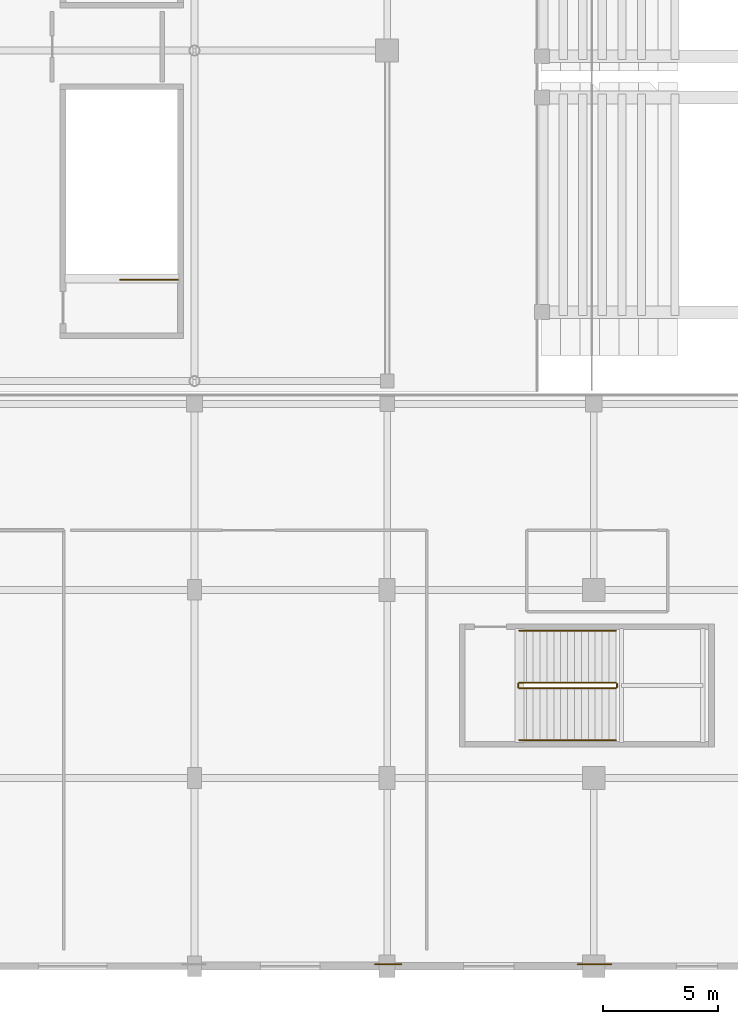
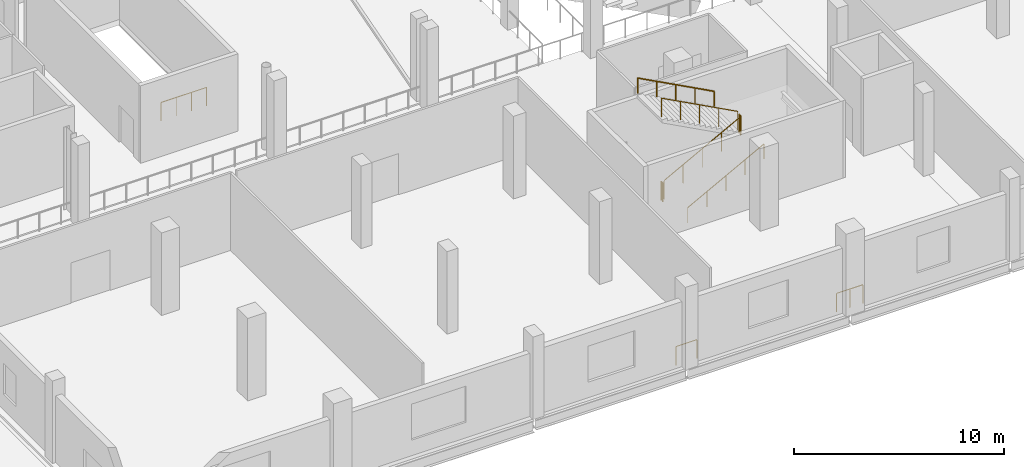
# One storey, part 51 of 74: 9 railings.
"""IFC4 building model written with IfcOpenShell, lengths in metres."""

import ifcopenshell
import ifcopenshell.guid

model = None  # the IFC model being written
_history = None  # IfcOwnerHistory: only IFC2X3 demands one
_inside = {}  # id of a spatial element -> (the spatial element, [elements in it])
_under = {}  # id of a project, library or spatial element -> (it, [spatial elements below it])
_declared = {}  # id of a project -> (the project, [libraries it declares])
_typed = {}  # id of a type object -> (the type object, [elements of that type])
_made_of = {}  # id of a material, layer set ... -> (it, [elements and type objects made of it])


def new_model(schema):
    """Start an empty IFC model of exactly this schema.

    Asked for "IFC4X3", IfcOpenShell would pick the latest addendum, in which some entities
    have other attributes; the version numbers below select the first issue.
    IFC2X3 requires an IfcOwnerHistory on every rooted entity: one is made here for all.
    """
    global model, _history
    if schema == "IFC4X3":
        model = ifcopenshell.file(schema_version=(4, 3, 0, 0))
    else:
        model = ifcopenshell.file(schema=schema)
    _inside.clear()
    _under.clear()
    _declared.clear()
    _typed.clear()
    _made_of.clear()
    _history = None
    if model.schema == "IFC2X3":
        org = make("IfcOrganization", Name="unknown")
        user = make(
            "IfcPersonAndOrganization",
            ThePerson=make("IfcPerson", FamilyName="unknown"),
            TheOrganization=org,
        )
        app = make(
            "IfcApplication",
            ApplicationDeveloper=org,
            Version="unknown",
            ApplicationFullName="unknown",
            ApplicationIdentifier="unknown",
        )
        _history = make(
            "IfcOwnerHistory",
            OwningUser=user,
            OwningApplication=app,
            ChangeAction="ADDED",
            CreationDate=0,
        )
    return model


def make(cls, **values):
    """One entity of the class cls with the attributes given. An attribute that is None is left unset."""
    return model.create_entity(
        cls, **{name: value for name, value in values.items() if value is not None}
    )


def rooted(cls, **values):
    """An entity with a GlobalId (a new one), such as an element, a storey or a relation."""
    return make(cls, GlobalId=ifcopenshell.guid.new(), OwnerHistory=_history, **values)


def si_unit(unit_type, name, prefix=None):
    """IfcSIUnit, for example si_unit("LENGTHUNIT", "METRE", prefix="MILLI")."""
    return make("IfcSIUnit", UnitType=unit_type, Prefix=prefix, Name=name)


def assignment(units):
    """IfcUnitAssignment: the units of a project."""
    return None if units is None else make("IfcUnitAssignment", Units=units)


def point(xyz):
    """IfcCartesianPoint."""
    return None if xyz is None else make("IfcCartesianPoint", Coordinates=xyz)


def direction(xyz):
    """IfcDirection."""
    return None if xyz is None else make("IfcDirection", DirectionRatios=xyz)


def frame(location, z_axis=None, x_axis=None):
    """IfcAxis2Placement3D, a coordinate frame: its origin and axes. An axis left out is left unset."""
    return make(
        "IfcAxis2Placement3D",
        Location=point(location),
        Axis=direction(z_axis),
        RefDirection=direction(x_axis),
    )


def frame_2d(location, x_axis=None):
    """IfcAxis2Placement2D, a coordinate frame in the plane: its origin and x axis."""
    return make(
        "IfcAxis2Placement2D", Location=point(location), RefDirection=direction(x_axis)
    )


def origin():
    """The frame at (0, 0, 0) with its axes left unset."""
    return frame((0.0, 0.0, 0.0))


def origin_2d():
    """The frame at (0, 0) in the plane with its x axis left unset."""
    return frame_2d((0.0, 0.0))


def place(relative_to, where):
    """IfcLocalPlacement: puts the frame where relative to a parent placement (None: the world)."""
    return make(
        "IfcLocalPlacement", PlacementRelTo=relative_to, RelativePlacement=where
    )


def context(
    kind, dimensions, precision=None, world=None, true_north=None, identifier=None
):
    """IfcGeometricRepresentationContext, for example the 3D "Model" context."""
    return make(
        "IfcGeometricRepresentationContext",
        ContextIdentifier=identifier,
        ContextType=kind,
        CoordinateSpaceDimension=dimensions,
        Precision=precision,
        WorldCoordinateSystem=world,
        TrueNorth=true_north,
    )


def subcontext(parent, identifier, kind, view, scale=None):
    """IfcGeometricRepresentationSubContext, for example "Body" below "Model"."""
    return make(
        "IfcGeometricRepresentationSubContext",
        ContextIdentifier=identifier,
        ContextType=kind,
        ParentContext=parent,
        TargetScale=scale,
        TargetView=view,
    )


def project(units=None, contexts=None):
    """IfcProject with its units and contexts."""
    return rooted(
        "IfcProject",
        Name="project",
        RepresentationContexts=contexts,
        UnitsInContext=assignment(units),
    )


def spatial(cls, under=None, at=None, **own):
    """A site, building, storey or space (cls), placed at a placement, below another one or the project."""
    s = rooted(cls, ObjectPlacement=at, **own)
    if under is not None:
        _under.setdefault(under.id(), (under, []))[1].append(s)
    return s


def profile(cls, at=None, kind="AREA", **sizes):
    """A parametric profile (cls). Its sizes go by their IFC names, for example OverallWidth=200.0."""
    return make(cls, ProfileType=kind, Position=at, **sizes)


def circle(**sizes):
    """IfcCircleProfileDef."""
    return profile("IfcCircleProfileDef", **sizes)


def extrude(swept, where, along, depth):
    """IfcExtrudedAreaSolid: the profile swept, set in the frame where, extruded along a direction by depth."""
    return make(
        "IfcExtrudedAreaSolid",
        SweptArea=swept,
        Position=where,
        ExtrudedDirection=direction(along),
        Depth=depth,
    )


def shape(context_of_items, identifier, shape_type, items):
    """IfcShapeRepresentation: the items that make up one representation, for example the "Body"."""
    return make(
        "IfcShapeRepresentation",
        ContextOfItems=context_of_items,
        RepresentationIdentifier=identifier,
        RepresentationType=shape_type,
        Items=items,
    )


def material(Name=None, Category=None):
    """IfcMaterial."""
    return make("IfcMaterial", Name=Name, Category=Category)


def made_of(thing, what):
    """Note that an element or type object is made of a material, layer set ...; save() writes the relation."""
    if what is not None:
        _made_of.setdefault(what.id(), (what, []))[1].append(thing)
    return thing


def type_object(cls, material=None, **own):
    """A type object (cls), such as IfcWallType, which elements share."""
    return made_of(rooted(cls, **own), material)


def element(
    cls,
    number,
    at=None,
    inside=None,
    cuts=None,
    type_object=None,
    material=None,
    context=None,
    identifier="Body",
    shape_type=None,
    held_by="IfcProductDefinitionShape",
    body=None,
    shapes=None,
    **own,
):
    """One element of the class cls, such as IfcWall. Its Tag is "e" and its number.

    at: its placement. inside: the storey or other place that contains it. cuts: it is an
    opening in that element (IfcRelVoidsElement). A single representation is given by context,
    identifier, shape_type and body (its items); several are given by shapes. held_by: the class
    of the entity that holds the representations. save() writes the other relations.
    """
    e = rooted(cls, Tag="e%d" % number, ObjectPlacement=at, **own)
    if body is not None:
        shapes = [shape(context, identifier, shape_type, body)]
    if shapes is not None:
        e.Representation = make(held_by, Representations=shapes)
    if inside is not None:
        _inside.setdefault(inside.id(), (inside, []))[1].append(e)
    if cuts is not None:
        rooted(
            "IfcRelVoidsElement", RelatingBuildingElement=cuts, RelatedOpeningElement=e
        )
    if type_object is not None:
        _typed.setdefault(type_object.id(), (type_object, []))[1].append(e)
    return made_of(e, material)


def aggregate(whole, parts):
    """IfcRelAggregates: a whole, such as a stair, and the parts it consists of."""
    return rooted("IfcRelAggregates", RelatingObject=whole, RelatedObjects=parts)


def save(model, path):
    """Write the relations noted so far, then the file.

    IfcRelAggregates (storeys below a building ...), IfcRelContainedInSpatialStructure (elements
    in a storey), IfcRelDefinesByType, IfcRelAssociatesMaterial and IfcRelDeclares: one each for
    every whole, place, type object, material and project.
    """
    for whole, parts in _under.values():
        aggregate(whole, parts)
    for where, things in _inside.values():
        rooted(
            "IfcRelContainedInSpatialStructure",
            RelatedElements=things,
            RelatingStructure=where,
        )
    for kind, things in _typed.values():
        rooted("IfcRelDefinesByType", RelatedObjects=things, RelatingType=kind)
    for what, things in _made_of.values():
        rooted("IfcRelAssociatesMaterial", RelatedObjects=things, RelatingMaterial=what)
    for by, libraries in _declared.values():
        rooted("IfcRelDeclares", RelatingContext=by, RelatedDefinitions=libraries)
    model.write(path)


model = new_model("IFC4")

# Units and contexts
model_context = context("Model", 3, precision=1e-05, world=origin(), true_north=direction((0.0, 1.0)))
body_context = subcontext(model_context, "Body", "Model", "MODEL_VIEW")
ifc_project = project(units=[si_unit("LENGTHUNIT", "METRE"), si_unit("AREAUNIT", "SQUARE_METRE"), si_unit("VOLUMEUNIT", "CUBIC_METRE"), si_unit("PLANEANGLEUNIT", "RADIAN"), si_unit("MASSUNIT", "GRAM", prefix="KILO")], contexts=[model_context])

# Site, building, storey
site_placement = place(None, origin())
site = spatial("IfcSite", under=ifc_project, at=site_placement, CompositionType="ELEMENT")
building_placement = place(site_placement, origin())
building = spatial("IfcBuilding", under=site, at=building_placement, Name="Koshinbarg Plaza Stadium", CompositionType="ELEMENT")
storey_placement = place(building_placement, frame((0.0, 0.0, 15.0)))
storey = spatial("IfcBuildingStorey", under=building, at=storey_placement, Name="L03", CompositionType="ELEMENT", Elevation=15.0)

# Railings
ifc_material_1 = material(Name="Toughened laminated glass and stainless steel sightline balustrade", Category="steel")
railing_type_1 = type_object("IfcRailingType", Name="RL-BOWL-1100", PredefinedType="BALUSTRADE", material=ifc_material_1)
railing_1_placement = place(storey_placement, frame((64.357666015625, 0.080078125, 0.0)))
element("IfcRailing", 1, at=railing_1_placement, inside=storey, type_object=railing_type_1, Name="L03 deck edge safety balustrade 0261", PredefinedType="BALUSTRADE", context=body_context, shape_type="SweptSolid", body=[
    extrude(circle(Radius=0.02392578125, at=origin_2d()), frame((0.0, 0.0, 1.076171875), z_axis=(-1.0, 0.0, 0.0), x_axis=(0.0, -1.0, 0.0)), (0.0, 0.0, 1.0), 1.448974609375),
    extrude(circle(Radius=0.02099609375, at=origin_2d()), origin(), (0.0, 0.0, 1.0), 1.052001953125),
    extrude(circle(Radius=0.02099609375, at=origin_2d()), frame((-0.724609375, 0.0, 0.0)), (0.0, 0.0, 1.0), 1.052001953125),
    extrude(circle(Radius=0.02099609375, at=origin_2d()), frame((-1.448974609375, 0.0, 0.0)), (0.0, 0.0, 1.0), 1.052001953125),
])
railing_2_placement = place(storey_placement, frame((55.21630859375, 0.080078125, 0.0)))
element("IfcRailing", 2, at=railing_2_placement, inside=storey, type_object=railing_type_1, Name="L03 deck edge safety balustrade 0262", PredefinedType="BALUSTRADE", context=body_context, shape_type="SweptSolid", body=[
    extrude(circle(Radius=0.02392578125, at=origin_2d()), frame((0.0, 0.0, 1.076171875), z_axis=(-1.0, 0.0, 0.0), x_axis=(0.0, -1.0, 0.0)), (0.0, 0.0, 1.0), 1.1494140625),
    extrude(circle(Radius=0.02099609375, at=origin_2d()), origin(), (0.0, 0.0, 1.0), 1.052001953125),
    extrude(circle(Radius=0.02099609375, at=origin_2d()), frame((-1.1494140625, 0.0, 0.0)), (0.0, 0.0, 1.0), 1.052001953125),
])
ifc_material_2 = material(Name="Galvanized painted steel guardrail", Category="steel")
railing_type_2 = type_object("IfcRailingType", Name="RL-GUARD-1100", PredefinedType="GUARDRAIL", material=ifc_material_2)
railing_3_placement = place(storey_placement, frame((60.360107421875, 12.110107421875, 0.159912109375)))
element("IfcRailing", 3, at=railing_3_placement, inside=storey, type_object=railing_type_2, Name="L03 C13 stair guard 1", PredefinedType="GUARDRAIL", context=body_context, shape_type="SweptSolid", body=[
    extrude(circle(Radius=0.02392578125, at=origin_2d()), frame((0.0, 0.0, 1.076171875), z_axis=(0.882351521365, 0.0, 0.470590897432), x_axis=(0.0, 1.0, 0.0)), (0.0, 0.0, 1.0), 4.760009765625),
    extrude(circle(Radius=0.02099609375, at=origin_2d()), origin(), (0.0, 0.0, 1.0), 1.052001953125),
    extrude(circle(Radius=0.02099609375, at=origin_2d()), frame((1.050048828125, 0.0, 0.56005859375)), (0.0, 0.0, 1.0), 1.052001953125),
    extrude(circle(Radius=0.02099609375, at=origin_2d()), frame((2.10009765625, 0.0, 1.1201171875)), (0.0, 0.0, 1.0), 1.052001953125),
    extrude(circle(Radius=0.02099609375, at=origin_2d()), frame((3.14990234375, 0.0, 1.679931640625)), (0.0, 0.0, 1.0), 1.052001953125),
    extrude(circle(Radius=0.02099609375, at=origin_2d()), frame((4.199951171875, 0.0, 2.239990234375)), (0.0, 0.0, 1.0), 1.052001953125),
])
railing_4_placement = place(storey_placement, frame((64.610107421875, 12.159912109375, 2.39990234375)))
element("IfcRailing", 4, at=railing_4_placement, inside=storey, type_object=railing_type_2, Name="L03 C13 stair guard 2", PredefinedType="GUARDRAIL", context=body_context, shape_type="SweptSolid", body=[
    extrude(circle(Radius=0.02392578125, at=origin_2d()), frame((0.0, 0.0, 1.076171875), z_axis=(0.0, 1.0, 0.0), x_axis=(-1.0, 0.0, 0.0)), (0.0, 0.0, 1.0), 0.150146484375),
    extrude(circle(Radius=0.02099609375, at=origin_2d()), origin(), (0.0, 0.0, 1.0), 1.052001953125),
    extrude(circle(Radius=0.02099609375, at=origin_2d()), frame((0.0, 0.150146484375, 0.0)), (0.0, 0.0, 1.0), 1.052001953125),
])
railing_5_placement = place(storey_placement, frame((64.56005859375, 12.360107421875, 2.56005859375)))
element("IfcRailing", 5, at=railing_5_placement, inside=storey, type_object=railing_type_2, Name="L03 C13 stair guard 3", PredefinedType="GUARDRAIL", context=body_context, shape_type="SweptSolid", body=[
    extrude(circle(Radius=0.02392578125, at=origin_2d()), frame((0.0, 0.0, 1.076171875), z_axis=(-0.882351521365, 0.0, 0.470590897432), x_axis=(0.0, -1.0, 0.0)), (0.0, 0.0, 1.0), 4.760009765625),
    extrude(circle(Radius=0.02099609375, at=origin_2d()), origin(), (0.0, 0.0, 1.0), 1.052001953125),
    extrude(circle(Radius=0.02099609375, at=origin_2d()), frame((-1.050048828125, 0.0, 0.56005859375)), (0.0, 0.0, 1.0), 1.052001953125),
    extrude(circle(Radius=0.02099609375, at=origin_2d()), frame((-2.10009765625, 0.0, 1.1201171875)), (0.0, 0.0, 1.0), 1.052001953125),
    extrude(circle(Radius=0.02099609375, at=origin_2d()), frame((-3.14990234375, 0.0, 1.679931640625)), (0.0, 0.0, 1.0), 1.052001953125),
    extrude(circle(Radius=0.02099609375, at=origin_2d()), frame((-4.199951171875, 0.0, 2.239990234375)), (0.0, 0.0, 1.0), 1.052001953125),
])
railing_6_placement = place(storey_placement, frame((60.31005859375, 12.159912109375, 0.0)))
element("IfcRailing", 6, at=railing_6_placement, inside=storey, type_object=railing_type_2, Name="L03 C13 stair guard 4", PredefinedType="GUARDRAIL", context=body_context, shape_type="SweptSolid", body=[
    extrude(circle(Radius=0.02392578125, at=origin_2d()), frame((0.0, 0.0, 1.076171875), z_axis=(0.0, 1.0, 0.0), x_axis=(-1.0, 0.0, 0.0)), (0.0, 0.0, 1.0), 0.150146484375),
    extrude(circle(Radius=0.02099609375, at=origin_2d()), origin(), (0.0, 0.0, 1.0), 1.052001953125),
    extrude(circle(Radius=0.02099609375, at=origin_2d()), frame((0.0, 0.150146484375, 0.0)), (0.0, 0.0, 1.0), 1.052001953125),
])
railing_7_placement = place(storey_placement, frame((45.469970703125, 29.909912109375, 0.0)))
element("IfcRailing", 7, at=railing_7_placement, inside=storey, type_object=railing_type_2, Name="L03 VX01 top stairwell guard 1", PredefinedType="GUARDRAIL", context=body_context, shape_type="SweptSolid", body=[
    extrude(circle(Radius=0.02392578125, at=origin_2d()), frame((0.0, 0.0, 1.076171875), z_axis=(-1.0, 0.0, 0.0), x_axis=(0.0, -1.0, 0.0)), (0.0, 0.0, 1.0), 2.510009765625),
    extrude(circle(Radius=0.02099609375, at=origin_2d()), origin(), (0.0, 0.0, 1.0), 1.052001953125),
    extrude(circle(Radius=0.02099609375, at=origin_2d()), frame((-0.836669921875, 0.0, 0.0)), (0.0, 0.0, 1.0), 1.052001953125),
    extrude(circle(Radius=0.02099609375, at=origin_2d()), frame((-1.67333984375, 0.0, 0.0)), (0.0, 0.0, 1.0), 1.052001953125),
    extrude(circle(Radius=0.02099609375, at=origin_2d()), frame((-2.510009765625, 0.0, 0.0)), (0.0, 0.0, 1.0), 1.052001953125),
])
ifc_material_3 = material(Name="Brushed stainless steel handrail", Category="steel")
railing_type_3 = type_object("IfcRailingType", Name="RL-HAND-900", PredefinedType="HANDRAIL", material=ifc_material_3)
railing_8_placement = place(storey_placement, frame((60.360107421875, 9.85009765625, 0.159912109375)))
element("IfcRailing", 8, at=railing_8_placement, inside=storey, type_object=railing_type_3, Name="L03 C13 stair handrail 1", PredefinedType="HANDRAIL", context=body_context, shape_type="SweptSolid", body=[
    extrude(circle(Radius=0.02392578125, at=origin_2d()), frame((0.0, 0.0, 0.8759765625), z_axis=(0.882351521365, 0.0, 0.470590897432), x_axis=(0.0, 1.0, 0.0)), (0.0, 0.0, 1.0), 4.760009765625),
    extrude(circle(Radius=0.02099609375, at=origin_2d()), origin(), (0.0, 0.0, 1.0), 0.851806640625),
    extrude(circle(Radius=0.02099609375, at=origin_2d()), frame((1.050048828125, 0.0, 0.56005859375)), (0.0, 0.0, 1.0), 0.851806640625),
    extrude(circle(Radius=0.02099609375, at=origin_2d()), frame((2.10009765625, 0.0, 1.1201171875)), (0.0, 0.0, 1.0), 0.851806640625),
    extrude(circle(Radius=0.02099609375, at=origin_2d()), frame((3.14990234375, 0.0, 1.679931640625)), (0.0, 0.0, 1.0), 0.851806640625),
    extrude(circle(Radius=0.02099609375, at=origin_2d()), frame((4.199951171875, 0.0, 2.239990234375)), (0.0, 0.0, 1.0), 0.851806640625),
])
railing_9_placement = place(storey_placement, frame((64.56005859375, 14.6201171875, 2.56005859375)))
element("IfcRailing", 9, at=railing_9_placement, inside=storey, type_object=railing_type_3, Name="L03 C13 stair handrail 2", PredefinedType="HANDRAIL", context=body_context, shape_type="SweptSolid", body=[
    extrude(circle(Radius=0.02392578125, at=origin_2d()), frame((0.0, 0.0, 0.8759765625), z_axis=(-0.882351521365, 0.0, 0.470590897432), x_axis=(0.0, -1.0, 0.0)), (0.0, 0.0, 1.0), 4.760009765625),
    extrude(circle(Radius=0.02099609375, at=origin_2d()), origin(), (0.0, 0.0, 1.0), 0.851806640625),
    extrude(circle(Radius=0.02099609375, at=origin_2d()), frame((-1.050048828125, 0.0, 0.56005859375)), (0.0, 0.0, 1.0), 0.851806640625),
    extrude(circle(Radius=0.02099609375, at=origin_2d()), frame((-2.10009765625, 0.0, 1.1201171875)), (0.0, 0.0, 1.0), 0.851806640625),
    extrude(circle(Radius=0.02099609375, at=origin_2d()), frame((-3.14990234375, 0.0, 1.679931640625)), (0.0, 0.0, 1.0), 0.851806640625),
    extrude(circle(Radius=0.02099609375, at=origin_2d()), frame((-4.199951171875, 0.0, 2.239990234375)), (0.0, 0.0, 1.0), 0.851806640625),
])

save(model, "model.ifc")
